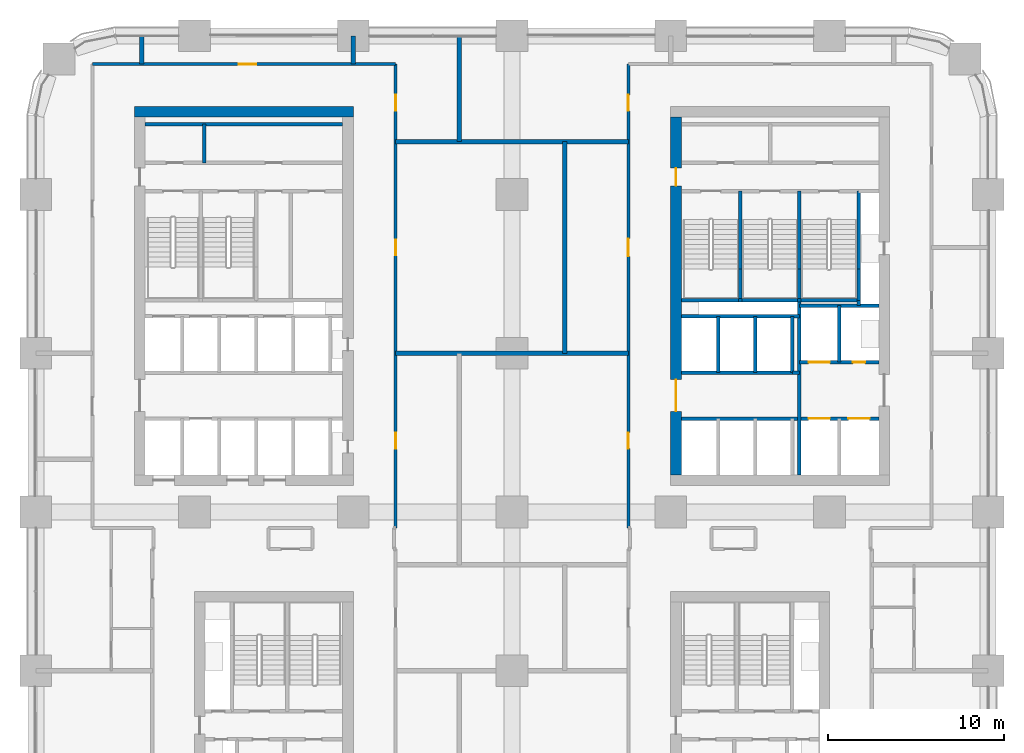
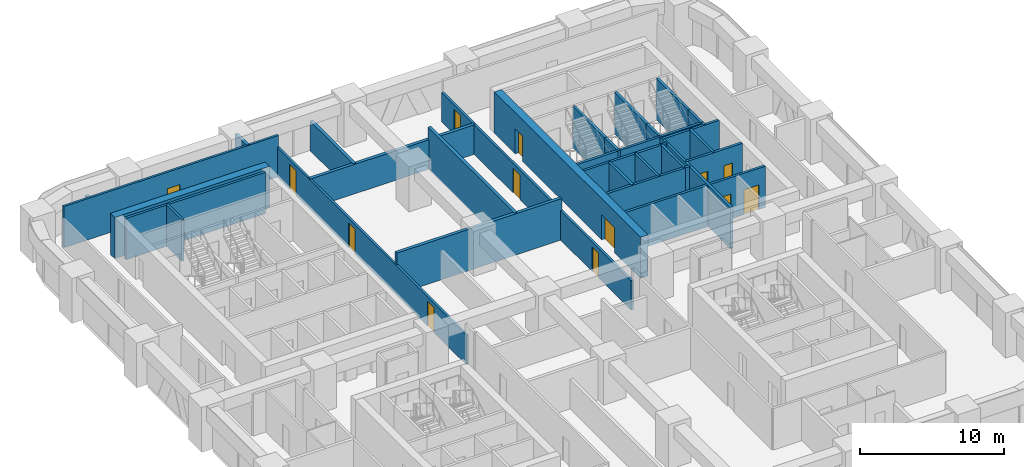
# One storey, part 17 of 21: 36 walls, 13 doors, 13 openings.
"""IFC4 building model written with IfcOpenShell, lengths in metres."""

from ifc_helpers import new_model, si_unit, direction, frame, frame_2d, origin, place, context, subcontext, project, spatial, rectangle, extrude, material, layer, layer_set, type_object, element, fill, save


model = new_model("IFC4")

# Units and contexts
model_context = context("Model", 3, precision=1e-05, world=origin(), true_north=direction((0.0, 1.0)))
body_context = subcontext(model_context, "Body", "Model", "MODEL_VIEW")
ifc_project = project(units=[si_unit("LENGTHUNIT", "METRE"), si_unit("AREAUNIT", "SQUARE_METRE"), si_unit("VOLUMEUNIT", "CUBIC_METRE"), si_unit("PLANEANGLEUNIT", "RADIAN"), si_unit("MASSUNIT", "GRAM", prefix="KILO")], contexts=[model_context])

# Site, building, storey
site_placement = place(None, origin())
site = spatial("IfcSite", under=ifc_project, at=site_placement, CompositionType="ELEMENT")
building_placement = place(site_placement, origin())
building = spatial("IfcBuilding", under=site, at=building_placement, Name="Tessera Arch", CompositionType="ELEMENT")
storey_placement = place(building_placement, frame((0.0, 0.0, 65.199951171875)))
storey = spatial("IfcBuildingStorey", under=building, at=storey_placement, Name="L14", CompositionType="ELEMENT", Elevation=65.199951171875)

# Walls
ifc_material_1 = material(Name="Gypsum board on steel stud", Category="steel")
ifc_layer_1 = layer(ifc_material_1, 0.125)
ifc_layer_set_1 = layer_set([ifc_layer_1], Name="Core partition 125 EI 60")
wall_type_1 = type_object("IfcWallType", Name="Core partition 125 EI 60", PredefinedType="PARTITIONING", material=ifc_layer_set_1)
wall_1_placement = place(storey_placement, frame((42.89990234375, 34.89990234375, 0.0), z_axis=(0.0, 0.0, 1.0), x_axis=(1.0, 0.0, 0.0)))
element("IfcWall", 1, at=wall_1_placement, inside=storey, type_object=wall_type_1, Name="L14 C1 partition wall 19", PredefinedType="PARTITIONING", context=body_context, shape_type="SweptSolid", body=[
    extrude(rectangle(XDim=0.400146484375, YDim=0.199951171875, at=frame_2d((0.2001953125, 0.0))), origin(), (0.0, 0.0, 1.0), 3.5),
])
wall_2_placement = place(storey_placement, frame((9.56005859375, 46.800048828125, 0.0), z_axis=(0.0, 0.0, 1.0), x_axis=(0.0, 1.0, 0.0)))
element("IfcWall", 2, at=wall_2_placement, inside=storey, type_object=wall_type_1, Name="L14 C2 partition wall 5", PredefinedType="PARTITIONING", context=body_context, shape_type="SweptSolid", body=[
    extrude(rectangle(XDim=2.199951171875, YDim=0.199951171875, at=frame_2d((1.10009765625, 0.0))), origin(), (0.0, 0.0, 1.0), 3.5),
])
wall_3_placement = place(storey_placement, frame((6.199951171875, 49.0, 0.0), z_axis=(0.0, 0.0, 1.0), x_axis=(1.0, 0.0, 0.0)))
element("IfcWall", 3, at=wall_3_placement, inside=storey, type_object=wall_type_1, Name="L14 C2 partition wall 27", PredefinedType="PARTITIONING", context=body_context, shape_type="SweptSolid", body=[
    extrude(rectangle(XDim=11.199951171875, YDim=0.199951171875, at=frame_2d((5.60009765625, 0.0))), origin(), (0.0, 0.0, 1.0), 3.5),
])

# Wall, openings, doors
ifc_material_2 = material(Name="Concrete C70/85", Category="concrete")
ifc_layer_2 = layer(ifc_material_2, 0.60009765625)
ifc_layer_set_2 = layer_set([ifc_layer_2], Name="Core shell wall 600 C70-85")
wall_type_2 = type_object("IfcWallType", Name="Core shell wall 600 C70-85", PredefinedType="SHEAR", material=ifc_layer_set_2)
wall_4_placement = place(storey_placement, frame((36.300048828125, 29.10009765625, 0.0), z_axis=(0.0, 0.0, 1.0), x_axis=(0.0, 1.0, 0.0)))
wall_4 = element("IfcWall", 4, at=wall_4_placement, inside=storey, type_object=wall_type_2, Name="L14 C1 core wall W", PredefinedType="SHEAR", context=body_context, shape_type="SweptSolid", body=[
    extrude(rectangle(XDim=20.2998046875, YDim=0.60009765625, at=frame_2d((10.14990234375, 0.0))), origin(), (0.0, 0.0, 1.0), 3.5),
])
opening_1_placement = place(wall_4_placement, frame((3.60009765625, 0.0, 0.0)))
opening_1 = element("IfcOpeningElement", 5, at=opening_1_placement, cuts=wall_4, Name="Opening L14-C04", PredefinedType="OPENING", context=body_context, shape_type="SweptSolid", body=[
    extrude(rectangle(XDim=1.800048828125, YDim=2.10009765625, at=frame_2d((0.89990234375, 1.050048828125))), frame((0.0, 0.31005859375, 0.0), z_axis=(0.0, -1.0, 0.0), x_axis=(1.0, 0.0, 0.0)), (0.0, 0.0, 1.0), 0.6201171875),
])
opening_2_placement = place(wall_4_placement, frame((16.39990234375, 0.0, 0.0)))
opening_2 = element("IfcOpeningElement", 6, at=opening_2_placement, cuts=wall_4, Name="Opening L14-C11", PredefinedType="OPENING", context=body_context, shape_type="SweptSolid", body=[
    extrude(rectangle(XDim=1.0, YDim=2.10009765625, at=frame_2d((0.5, 1.050048828125))), frame((0.0, 0.31005859375, 0.0), z_axis=(0.0, -1.0, 0.0), x_axis=(1.0, 0.0, 0.0)), (0.0, 0.0, 1.0), 0.6201171875),
])
ifc_material_3 = material(Name="Steel door leaf", Category="steel")
door_type_1 = type_object("IfcDoorType", Name="Corridor door FD60 1000 x 2100", OperationType="SINGLE_SWING_LEFT", PredefinedType="DOOR", material=ifc_material_3)
door_1_placement = place(opening_2_placement, origin())
door_1 = element("IfcDoor", 7, at=door_1_placement, inside=storey, type_object=door_type_1, Name="L14 C1 door 11 C11 type D12", OperationType="SINGLE_SWING_RIGHT", OverallHeight=2.10009765625, OverallWidth=1.0, PredefinedType="DOOR", context=body_context, shape_type="SweptSolid", body=[
    extrude(rectangle(XDim=1.0, YDim=2.10009765625, at=frame_2d((0.5, 1.050048828125))), frame((0.0, 0.02490234375, 0.0), z_axis=(0.0, -1.0, 0.0), x_axis=(1.0, 0.0, 0.0)), (0.0, 0.0, 1.0), 0.050048828125),
])
fill(opening_2, door_1)
ifc_material_4 = material(Name="Glazed steel door leaf", Category="steel")
door_type_2 = type_object("IfcDoorType", Name="Lobby double door FD30S 1800 x 2100", OperationType="DOUBLE_DOOR_SINGLE_SWING", PredefinedType="DOOR", material=ifc_material_4)
door_2_placement = place(opening_1_placement, origin())
door_2 = element("IfcDoor", 8, at=door_2_placement, inside=storey, type_object=door_type_2, Name="L14 C1 door 4 C04 type D06", OperationType="DOUBLE_DOOR_SINGLE_SWING", OverallHeight=2.10009765625, OverallWidth=1.800048828125, PredefinedType="DOOR", context=body_context, shape_type="SweptSolid", body=[
    extrude(rectangle(XDim=1.800048828125, YDim=2.10009765625, at=frame_2d((0.89990234375, 1.050048828125))), frame((0.0, 0.02490234375, 0.0), z_axis=(0.0, -1.0, 0.0), x_axis=(1.0, 0.0, 0.0)), (0.0, 0.0, 1.0), 0.050048828125),
])
fill(opening_1, door_2)

# Wall
wall_5_placement = place(storey_placement, frame((5.60009765625, 49.699951171875, 0.0), z_axis=(0.0, 0.0, 1.0), x_axis=(1.0, 0.0, 0.0)))
element("IfcWall", 9, at=wall_5_placement, inside=storey, type_object=wall_type_2, Name="L14 C2 core wall N", PredefinedType="SHEAR", context=body_context, shape_type="SweptSolid", body=[
    extrude(rectangle(XDim=12.39990234375, YDim=0.60009765625, at=frame_2d((6.199951171875, 0.0))), origin(), (0.0, 0.0, 1.0), 3.5),
])

# Wall, opening, door
ifc_material_5 = material(Name="Gypsum board on deep steel stud with mineral wool", Category="steel")
ifc_layer_3 = layer(ifc_material_5, 0.175048828125)
ifc_layer_set_3 = layer_set([ifc_layer_3], Name="Corridor wall 175 EI 60")
wall_type_3 = type_object("IfcWallType", Name="Corridor wall 175 EI 60", PredefinedType="PARTITIONING", material=ifc_layer_set_3)
wall_6_placement = place(storey_placement, frame((3.199951171875, 52.39990234375, 0.0), z_axis=(0.0, 0.0, 1.0), x_axis=(1.0, 0.0, 0.0)))
wall_6 = element("IfcWall", 10, at=wall_6_placement, inside=storey, type_object=wall_type_3, Name="L14 partition 15", PredefinedType="PARTITIONING", context=body_context, shape_type="SweptSolid", body=[
    extrude(rectangle(XDim=17.199951171875, YDim=0.175048828125, at=frame_2d((8.60009765625, 0.0))), origin(), (0.0, 0.0, 1.0), 3.5),
])
opening_3_placement = place(wall_6_placement, frame((8.300048828125, 0.0, 0.0)))
opening_3 = element("IfcOpeningElement", 11, at=opening_3_placement, cuts=wall_6, Name="Opening L14-D029", PredefinedType="OPENING", context=body_context, shape_type="SweptSolid", body=[
    extrude(rectangle(XDim=1.0, YDim=2.10009765625, at=frame_2d((0.5, 1.050048828125))), frame((0.0, 0.097412109375, 0.0), z_axis=(0.0, -1.0, 0.0), x_axis=(1.0, 0.0, 0.0)), (0.0, 0.0, 1.0), 0.195068359375),
])
ifc_material_6 = material(Name="Fire-rated door leaf")
door_type_3 = type_object("IfcDoorType", Name="Entrance door FD30S 1000 x 2100", OperationType="SINGLE_SWING_LEFT", PredefinedType="DOOR", material=ifc_material_6)
door_3_placement = place(opening_3_placement, origin())
door_3 = element("IfcDoor", 12, at=door_3_placement, inside=storey, type_object=door_type_3, Name="L14 door D029 type D03", OperationType="SINGLE_SWING_LEFT", OverallHeight=2.10009765625, OverallWidth=1.0, PredefinedType="DOOR", context=body_context, shape_type="SweptSolid", body=[
    extrude(rectangle(XDim=1.0, YDim=2.10009765625, at=frame_2d((0.5, 1.050048828125))), frame((0.0, 0.02490234375, 0.0), z_axis=(0.0, -1.0, 0.0), x_axis=(1.0, 0.0, 0.0)), (0.0, 0.0, 1.0), 0.050048828125),
])
fill(opening_3, door_3)

# Wall, openings, doors
wall_7_placement = place(storey_placement, frame((20.39990234375, 26.10009765625, 0.0), z_axis=(0.0, 0.0, 1.0), x_axis=(0.0, 1.0, 0.0)))
wall_7 = element("IfcWall", 13, at=wall_7_placement, inside=storey, type_object=wall_type_3, Name="L14 partition 24", PredefinedType="PARTITIONING", context=body_context, shape_type="SweptSolid", body=[
    extrude(rectangle(XDim=26.2998046875, YDim=0.175048828125, at=frame_2d((13.14990234375, 0.0))), origin(), (0.0, 0.0, 1.0), 2.5),
])
opening_4_placement = place(wall_7_placement, frame((4.5, 0.0, 0.0)))
opening_4 = element("IfcOpeningElement", 14, at=opening_4_placement, cuts=wall_7, Name="Opening L14-D019", PredefinedType="OPENING", context=body_context, shape_type="SweptSolid", body=[
    extrude(rectangle(XDim=0.89990234375, YDim=2.10009765625, at=frame_2d((0.449951171875, 1.050048828125))), frame((0.0, 0.097412109375, 0.0), z_axis=(0.0, -1.0, 0.0), x_axis=(1.0, 0.0, 0.0)), (0.0, 0.0, 1.0), 0.195068359375),
])
opening_5_placement = place(wall_7_placement, frame((15.449951171875, 0.0, 0.0)))
opening_5 = element("IfcOpeningElement", 15, at=opening_5_placement, cuts=wall_7, Name="Opening L14-D023", PredefinedType="OPENING", context=body_context, shape_type="SweptSolid", body=[
    extrude(rectangle(XDim=0.89990234375, YDim=2.10009765625, at=frame_2d((0.449951171875, 1.050048828125))), frame((0.0, 0.097412109375, 0.0), z_axis=(0.0, -1.0, 0.0), x_axis=(1.0, 0.0, 0.0)), (0.0, 0.0, 1.0), 0.195068359375),
])
opening_6_placement = place(wall_7_placement, frame((23.64990234375, 0.0, 0.0)))
opening_6 = element("IfcOpeningElement", 16, at=opening_6_placement, cuts=wall_7, Name="Opening L14-D028", PredefinedType="OPENING", context=body_context, shape_type="SweptSolid", body=[
    extrude(rectangle(XDim=0.89990234375, YDim=2.10009765625, at=frame_2d((0.449951171875, 1.050048828125))), frame((0.0, 0.097412109375, 0.0), z_axis=(0.0, -1.0, 0.0), x_axis=(1.0, 0.0, 0.0)), (0.0, 0.0, 1.0), 0.195068359375),
])
ifc_material_7 = material(Name="Timber door leaf", Category="wood")
door_type_4 = type_object("IfcDoorType", Name="Room door 900 x 2100", OperationType="SINGLE_SWING_LEFT", PredefinedType="DOOR", material=ifc_material_7)
door_4_placement = place(opening_4_placement, origin())
door_4 = element("IfcDoor", 17, at=door_4_placement, inside=storey, type_object=door_type_4, Name="L14 door D019 type D01", OperationType="SINGLE_SWING_RIGHT", OverallHeight=2.10009765625, OverallWidth=0.89990234375, PredefinedType="DOOR", context=body_context, shape_type="SweptSolid", body=[
    extrude(rectangle(XDim=0.89990234375, YDim=2.10009765625, at=frame_2d((0.449951171875, 1.050048828125))), frame((0.0, 0.02490234375, 0.0), z_axis=(0.0, -1.0, 0.0), x_axis=(1.0, 0.0, 0.0)), (0.0, 0.0, 1.0), 0.050048828125),
])
fill(opening_4, door_4)
door_5_placement = place(opening_5_placement, origin())
door_5 = element("IfcDoor", 18, at=door_5_placement, inside=storey, type_object=door_type_4, Name="L14 door D023 type D01", OperationType="SINGLE_SWING_RIGHT", OverallHeight=2.10009765625, OverallWidth=0.89990234375, PredefinedType="DOOR", context=body_context, shape_type="SweptSolid", body=[
    extrude(rectangle(XDim=0.89990234375, YDim=2.10009765625, at=frame_2d((0.449951171875, 1.050048828125))), frame((0.0, 0.02490234375, 0.0), z_axis=(0.0, -1.0, 0.0), x_axis=(1.0, 0.0, 0.0)), (0.0, 0.0, 1.0), 0.050048828125),
])
fill(opening_5, door_5)
door_6_placement = place(opening_6_placement, origin())
door_6 = element("IfcDoor", 19, at=door_6_placement, inside=storey, type_object=door_type_4, Name="L14 door D028 type D01", OperationType="SINGLE_SWING_LEFT", OverallHeight=2.10009765625, OverallWidth=0.89990234375, PredefinedType="DOOR", context=body_context, shape_type="SweptSolid", body=[
    extrude(rectangle(XDim=0.89990234375, YDim=2.10009765625, at=frame_2d((0.449951171875, 1.050048828125))), frame((0.0, 0.02490234375, 0.0), z_axis=(0.0, -1.0, 0.0), x_axis=(1.0, 0.0, 0.0)), (0.0, 0.0, 1.0), 0.050048828125),
])
fill(opening_6, door_6)

wall_8_placement = place(storey_placement, frame((33.60009765625, 26.10009765625, 0.0), z_axis=(0.0, 0.0, 1.0), x_axis=(0.0, 1.0, 0.0)))
wall_8 = element("IfcWall", 20, at=wall_8_placement, inside=storey, type_object=wall_type_3, Name="L14 partition 26", PredefinedType="PARTITIONING", context=body_context, shape_type="SweptSolid", body=[
    extrude(rectangle(XDim=26.2998046875, YDim=0.175048828125, at=frame_2d((13.14990234375, 0.0))), origin(), (0.0, 0.0, 1.0), 2.5),
])
opening_7_placement = place(wall_8_placement, frame((4.5, 0.0, 0.0)))
opening_7 = element("IfcOpeningElement", 21, at=opening_7_placement, cuts=wall_8, Name="Opening L14-D020", PredefinedType="OPENING", context=body_context, shape_type="SweptSolid", body=[
    extrude(rectangle(XDim=0.89990234375, YDim=2.10009765625, at=frame_2d((0.449951171875, 1.050048828125))), frame((0.0, 0.097412109375, 0.0), z_axis=(0.0, -1.0, 0.0), x_axis=(1.0, 0.0, 0.0)), (0.0, 0.0, 1.0), 0.195068359375),
])
opening_8_placement = place(wall_8_placement, frame((15.39990234375, 0.0, 0.0)))
opening_8 = element("IfcOpeningElement", 22, at=opening_8_placement, cuts=wall_8, Name="Opening L14-D024", PredefinedType="OPENING", context=body_context, shape_type="SweptSolid", body=[
    extrude(rectangle(XDim=1.0, YDim=2.10009765625, at=frame_2d((0.5, 1.050048828125))), frame((0.0, 0.097412109375, 0.0), z_axis=(0.0, -1.0, 0.0), x_axis=(1.0, 0.0, 0.0)), (0.0, 0.0, 1.0), 0.195068359375),
])
opening_9_placement = place(wall_8_placement, frame((23.64990234375, 0.0, 0.0)))
opening_9 = element("IfcOpeningElement", 23, at=opening_9_placement, cuts=wall_8, Name="Opening L14-D027", PredefinedType="OPENING", context=body_context, shape_type="SweptSolid", body=[
    extrude(rectangle(XDim=0.89990234375, YDim=2.10009765625, at=frame_2d((0.449951171875, 1.050048828125))), frame((0.0, 0.097412109375, 0.0), z_axis=(0.0, -1.0, 0.0), x_axis=(1.0, 0.0, 0.0)), (0.0, 0.0, 1.0), 0.195068359375),
])
door_7_placement = place(opening_8_placement, origin())
door_7 = element("IfcDoor", 24, at=door_7_placement, inside=storey, type_object=door_type_3, Name="L14 door D024 type D03", OperationType="SINGLE_SWING_RIGHT", OverallHeight=2.10009765625, OverallWidth=1.0, PredefinedType="DOOR", context=body_context, shape_type="SweptSolid", body=[
    extrude(rectangle(XDim=1.0, YDim=2.10009765625, at=frame_2d((0.5, 1.050048828125))), frame((0.0, 0.02490234375, 0.0), z_axis=(0.0, -1.0, 0.0), x_axis=(1.0, 0.0, 0.0)), (0.0, 0.0, 1.0), 0.050048828125),
])
fill(opening_8, door_7)
door_8_placement = place(opening_7_placement, origin())
door_8 = element("IfcDoor", 25, at=door_8_placement, inside=storey, type_object=door_type_4, Name="L14 door D020 type D01", OperationType="SINGLE_SWING_RIGHT", OverallHeight=2.10009765625, OverallWidth=0.89990234375, PredefinedType="DOOR", context=body_context, shape_type="SweptSolid", body=[
    extrude(rectangle(XDim=0.89990234375, YDim=2.10009765625, at=frame_2d((0.449951171875, 1.050048828125))), frame((0.0, 0.02490234375, 0.0), z_axis=(0.0, -1.0, 0.0), x_axis=(1.0, 0.0, 0.0)), (0.0, 0.0, 1.0), 0.050048828125),
])
fill(opening_7, door_8)
door_9_placement = place(opening_9_placement, origin())
door_9 = element("IfcDoor", 26, at=door_9_placement, inside=storey, type_object=door_type_4, Name="L14 door D027 type D01", OperationType="SINGLE_SWING_LEFT", OverallHeight=2.10009765625, OverallWidth=0.89990234375, PredefinedType="DOOR", context=body_context, shape_type="SweptSolid", body=[
    extrude(rectangle(XDim=0.89990234375, YDim=2.10009765625, at=frame_2d((0.449951171875, 1.050048828125))), frame((0.0, 0.02490234375, 0.0), z_axis=(0.0, -1.0, 0.0), x_axis=(1.0, 0.0, 0.0)), (0.0, 0.0, 1.0), 0.050048828125),
])
fill(opening_9, door_9)

# Walls
ifc_material_8 = material(Name="Double gypsum board on twin steel stud with acoustic mineral wool", Category="steel")
ifc_layer_4 = layer(ifc_material_8, 0.25)
ifc_layer_set_4 = layer_set([ifc_layer_4], Name="Party wall 250 EI 60")
wall_type_4 = type_object("IfcWallType", Name="Party wall 250 EI 60", PredefinedType="PARTITIONING", material=ifc_layer_set_4)
wall_9_placement = place(storey_placement, frame((20.39990234375, 36.0, 0.0), z_axis=(0.0, 0.0, 1.0), x_axis=(1.0, 0.0, 0.0)))
element("IfcWall", 27, at=wall_9_placement, inside=storey, type_object=wall_type_4, Name="L14 partition 43", PredefinedType="PARTITIONING", context=body_context, shape_type="SweptSolid", body=[
    extrude(rectangle(XDim=13.2001953125, YDim=0.25, at=frame_2d((6.60009765625, 0.0))), origin(), (0.0, 0.0, 1.0), 3.5),
])
wall_10_placement = place(storey_placement, frame((20.39990234375, 48.0, 0.0), z_axis=(0.0, 0.0, 1.0), x_axis=(1.0, 0.0, 0.0)))
element("IfcWall", 28, at=wall_10_placement, inside=storey, type_object=wall_type_4, Name="L14 partition 46", PredefinedType="PARTITIONING", context=body_context, shape_type="SweptSolid", body=[
    extrude(rectangle(XDim=13.2001953125, YDim=0.25, at=frame_2d((6.60009765625, 0.0))), origin(), (0.0, 0.0, 1.0), 2.5),
])
wall_11_placement = place(storey_placement, frame((6.0, 52.39990234375, 0.0), z_axis=(0.0, 0.0, 1.0), x_axis=(0.0, 1.0, 0.0)))
element("IfcWall", 29, at=wall_11_placement, inside=storey, type_object=wall_type_4, Name="L14 partition 47", PredefinedType="PARTITIONING", context=body_context, shape_type="SweptSolid", body=[
    extrude(rectangle(XDim=1.60009765625, YDim=0.25, at=frame_2d((0.800048828125, 0.0))), origin(), (0.0, 0.0, 1.0), 2.5),
])
wall_12_placement = place(storey_placement, frame((18.0, 52.39990234375, 0.0), z_axis=(0.0, 0.0, 1.0), x_axis=(0.0, 1.0, 0.0)))
element("IfcWall", 30, at=wall_12_placement, inside=storey, type_object=wall_type_4, Name="L14 partition 49", PredefinedType="PARTITIONING", context=body_context, shape_type="SweptSolid", body=[
    extrude(rectangle(XDim=1.60009765625, YDim=0.25, at=frame_2d((0.800048828125, 0.0))), origin(), (0.0, 0.0, 1.0), 3.5),
])
wall_13_placement = place(storey_placement, frame((24.0, 48.0, 0.0), z_axis=(0.0, 0.0, 1.0), x_axis=(0.0, 1.0, 0.0)))
element("IfcWall", 31, at=wall_13_placement, inside=storey, type_object=wall_type_4, Name="L14 partition 52", PredefinedType="PARTITIONING", context=body_context, shape_type="SweptSolid", body=[
    extrude(rectangle(XDim=6.0, YDim=0.25, at=frame_2d((3.0, 0.0))), origin(), (0.0, 0.0, 1.0), 2.5),
])
wall_14_placement = place(storey_placement, frame((30.0, 36.0, 0.0), z_axis=(0.0, 0.0, 1.0), x_axis=(0.0, 1.0, 0.0)))
element("IfcWall", 32, at=wall_14_placement, inside=storey, type_object=wall_type_4, Name="L14 partition 54", PredefinedType="PARTITIONING", context=body_context, shape_type="SweptSolid", body=[
    extrude(rectangle(XDim=12.0, YDim=0.25, at=frame_2d((6.0, 0.0))), origin(), (0.0, 0.0, 1.0), 3.5),
])
ifc_material_9 = material(Name="Concrete C40/50", Category="concrete")
ifc_layer_5 = layer(ifc_material_9, 0.199951171875)
ifc_layer_set_5 = layer_set([ifc_layer_5], Name="Shaft wall 200 EI 120")
wall_type_5 = type_object("IfcWallType", Name="Shaft wall 200 EI 120", PredefinedType="SOLIDWALL", material=ifc_layer_set_5)
for number, where, z_axis, x_axis, name in (
    (33, (38.699951171875, 34.89990234375, 0.0), (0.0, 0.0, 1.0), (0.0, 1.0, 0.0), "L14 C1 shaft wall 2"),
    (34, (40.800048828125, 34.89990234375, 0.0), (0.0, 0.0, 1.0), (0.0, 1.0, 0.0), "L14 C1 shaft wall 6"),
    (35, (42.89990234375, 34.89990234375, 0.0), (0.0, 0.0, 1.0), (0.0, 1.0, 0.0), "L14 C1 shaft wall 9"),
):
    element("IfcWall", number, at=place(storey_placement, frame(where, z_axis=z_axis, x_axis=x_axis)), inside=storey, type_object=wall_type_5, Name=name, PredefinedType="SOLIDWALL", context=body_context, shape_type="SweptSolid", body=[
        extrude(rectangle(XDim=3.2001953125, YDim=0.199951171875, at=frame_2d((1.60009765625, 0.0))), origin(), (0.0, 0.0, 1.0), 3.5),
    ])
wall_15_placement = place(storey_placement, frame((43.300048828125, 29.10009765625, 0.0), z_axis=(0.0, 0.0, 1.0), x_axis=(0.0, 1.0, 0.0)))
element("IfcWall", 36, at=wall_15_placement, inside=storey, type_object=wall_type_5, Name="L14 C1 shaft wall 10", PredefinedType="SOLIDWALL", context=body_context, shape_type="SweptSolid", body=[
    extrude(rectangle(XDim=9.89990234375, YDim=0.199951171875, at=frame_2d((4.949951171875, 0.0))), origin(), (0.0, 0.0, 1.0), 3.5),
])
wall_16_placement = place(storey_placement, frame((45.550048828125, 35.5, 0.0), z_axis=(0.0, 0.0, 1.0), x_axis=(0.0, 1.0, 0.0)))
element("IfcWall", 37, at=wall_16_placement, inside=storey, type_object=wall_type_5, Name="L14 C1 shaft wall 14", PredefinedType="SOLIDWALL", context=body_context, shape_type="SweptSolid", body=[
    extrude(rectangle(XDim=3.199951171875, YDim=0.199951171875, at=frame_2d((1.60009765625, 0.0))), origin(), (0.0, 0.0, 1.0), 3.5),
])
wall_17_placement = place(storey_placement, frame((46.64990234375, 38.699951171875, 0.0), z_axis=(0.0, 0.0, 1.0), x_axis=(0.0, 1.0, 0.0)))
element("IfcWall", 38, at=wall_17_placement, inside=storey, type_object=wall_type_5, Name="L14 C1 shaft wall 15", PredefinedType="SOLIDWALL", context=body_context, shape_type="SweptSolid", body=[
    extrude(rectangle(XDim=0.300048828125, YDim=0.199951171875, at=frame_2d((0.14990234375, 0.0))), origin(), (0.0, 0.0, 1.0), 3.5),
])

# Wall, openings, doors
wall_18_placement = place(storey_placement, frame((36.60009765625, 32.300048828125, 0.0), z_axis=(0.0, 0.0, 1.0), x_axis=(1.0, 0.0, 0.0)))
wall_18 = element("IfcWall", 39, at=wall_18_placement, inside=storey, type_object=wall_type_5, Name="L14 C1 shaft wall 18", PredefinedType="SOLIDWALL", context=body_context, shape_type="SweptSolid", body=[
    extrude(rectangle(XDim=11.199951171875, YDim=0.199951171875, at=frame_2d((5.60009765625, 0.0))), origin(), (0.0, 0.0, 1.0), 3.5),
])
opening_10_placement = place(wall_18_placement, frame((7.22509765625, 0.0, 0.0)))
opening_10 = element("IfcOpeningElement", 40, at=opening_10_placement, cuts=wall_18, Name="Opening L14-C01", PredefinedType="OPENING", context=body_context, shape_type="SweptSolid", body=[
    extrude(rectangle(XDim=1.199951171875, YDim=2.10009765625, at=frame_2d((0.60009765625, 1.050048828125))), frame((0.0, 0.10986328125, 0.0), z_axis=(0.0, -1.0, 0.0), x_axis=(1.0, 0.0, 0.0)), (0.0, 0.0, 1.0), 0.219970703125),
])
opening_11_placement = place(wall_18_placement, frame((9.47509765625, 0.0, 0.0)))
opening_11 = element("IfcOpeningElement", 41, at=opening_11_placement, cuts=wall_18, Name="Opening L14-C02", PredefinedType="OPENING", context=body_context, shape_type="SweptSolid", body=[
    extrude(rectangle(XDim=1.199951171875, YDim=2.10009765625, at=frame_2d((0.60009765625, 1.050048828125))), frame((0.0, 0.10986328125, 0.0), z_axis=(0.0, -1.0, 0.0), x_axis=(1.0, 0.0, 0.0)), (0.0, 0.0, 1.0), 0.219970703125),
])
ifc_material_10 = material(Name="Stainless steel AISI 304", Category="steel")
door_type_5 = type_object("IfcDoorType", Name="Sliding landing door 1200 x 2100", OperationType="SLIDING_TO_LEFT", PredefinedType="DOOR", material=ifc_material_10)
door_10_placement = place(opening_10_placement, origin())
door_10 = element("IfcDoor", 42, at=door_10_placement, inside=storey, type_object=door_type_5, Name="L14 FF1 lift landing door C01 type LD", OperationType="SLIDING_TO_LEFT", OverallHeight=2.10009765625, OverallWidth=1.199951171875, PredefinedType="DOOR", context=body_context, shape_type="SweptSolid", body=[
    extrude(rectangle(XDim=1.199951171875, YDim=2.10009765625, at=frame_2d((0.60009765625, 1.050048828125))), frame((0.0, 0.02490234375, 0.0), z_axis=(0.0, -1.0, 0.0), x_axis=(1.0, 0.0, 0.0)), (0.0, 0.0, 1.0), 0.050048828125),
])
fill(opening_10, door_10)
door_11_placement = place(opening_11_placement, origin())
door_11 = element("IfcDoor", 43, at=door_11_placement, inside=storey, type_object=door_type_5, Name="L14 FF2 lift landing door C02 type LD", OperationType="SLIDING_TO_LEFT", OverallHeight=2.10009765625, OverallWidth=1.199951171875, PredefinedType="DOOR", context=body_context, shape_type="SweptSolid", body=[
    extrude(rectangle(XDim=1.199951171875, YDim=2.10009765625, at=frame_2d((0.60009765625, 1.050048828125))), frame((0.0, 0.02490234375, 0.0), z_axis=(0.0, -1.0, 0.0), x_axis=(1.0, 0.0, 0.0)), (0.0, 0.0, 1.0), 0.050048828125),
])
fill(opening_11, door_11)

# Wall
wall_19_placement = place(storey_placement, frame((36.60009765625, 34.89990234375, 0.0), z_axis=(0.0, 0.0, 1.0), x_axis=(1.0, 0.0, 0.0)))
element("IfcWall", 44, at=wall_19_placement, inside=storey, type_object=wall_type_5, Name="L14 C1 shaft wall 20", PredefinedType="SOLIDWALL", context=body_context, shape_type="SweptSolid", body=[
    extrude(rectangle(XDim=6.2998046875, YDim=0.199951171875, at=frame_2d((3.14990234375, 0.0))), origin(), (0.0, 0.0, 1.0), 3.5),
])

# Wall, openings, doors
wall_20_placement = place(storey_placement, frame((43.300048828125, 35.5, 0.0), z_axis=(0.0, 0.0, 1.0), x_axis=(1.0, 0.0, 0.0)))
wall_20 = element("IfcWall", 45, at=wall_20_placement, inside=storey, type_object=wall_type_5, Name="L14 C1 shaft wall 21", PredefinedType="SOLIDWALL", context=body_context, shape_type="SweptSolid", body=[
    extrude(rectangle(XDim=4.5, YDim=0.199951171875, at=frame_2d((2.25, 0.0))), origin(), (0.0, 0.0, 1.0), 3.5),
])
opening_12_placement = place(wall_20_placement, frame((0.52490234375, 0.0, 0.0)))
opening_12 = element("IfcOpeningElement", 46, at=opening_12_placement, cuts=wall_20, Name="Opening L14-C03", PredefinedType="OPENING", context=body_context, shape_type="SweptSolid", body=[
    extrude(rectangle(XDim=1.199951171875, YDim=2.10009765625, at=frame_2d((0.60009765625, 1.050048828125))), frame((0.0, 0.10986328125, 0.0), z_axis=(0.0, -1.0, 0.0), x_axis=(1.0, 0.0, 0.0)), (0.0, 0.0, 1.0), 0.219970703125),
])
opening_13_placement = place(wall_20_placement, frame((3.02490234375, 0.0, 0.0)))
opening_13 = element("IfcOpeningElement", 47, at=opening_13_placement, cuts=wall_20, Name="Opening L14-C10", PredefinedType="OPENING", context=body_context, shape_type="SweptSolid", body=[
    extrude(rectangle(XDim=0.699951171875, YDim=2.10009765625, at=frame_2d((0.35009765625, 1.050048828125))), frame((0.0, 0.10986328125, 0.0), z_axis=(0.0, -1.0, 0.0), x_axis=(1.0, 0.0, 0.0)), (0.0, 0.0, 1.0), 0.219970703125),
])
ifc_material_11 = material(Name="Steel door leaf", Category="steel")
door_type_6 = type_object("IfcDoorType", Name="Service shaft door FD60 700 x 2100", OperationType="SINGLE_SWING_LEFT", PredefinedType="DOOR", material=ifc_material_11)
door_12_placement = place(opening_13_placement, origin())
door_12 = element("IfcDoor", 48, at=door_12_placement, inside=storey, type_object=door_type_6, Name="L14 C1 door 10 C10 type D07", OperationType="SINGLE_SWING_RIGHT", OverallHeight=2.10009765625, OverallWidth=0.699951171875, PredefinedType="DOOR", context=body_context, shape_type="SweptSolid", body=[
    extrude(rectangle(XDim=0.699951171875, YDim=2.10009765625, at=frame_2d((0.35009765625, 1.050048828125))), frame((0.0, 0.02490234375, 0.0), z_axis=(0.0, -1.0, 0.0), x_axis=(1.0, 0.0, 0.0)), (0.0, 0.0, 1.0), 0.050048828125),
])
fill(opening_13, door_12)
door_13_placement = place(opening_12_placement, origin())
door_13 = element("IfcDoor", 49, at=door_13_placement, inside=storey, type_object=door_type_5, Name="L14 SV2 lift landing door C03 type LD", OperationType="SLIDING_TO_LEFT", OverallHeight=2.10009765625, OverallWidth=1.199951171875, PredefinedType="DOOR", context=body_context, shape_type="SweptSolid", body=[
    extrude(rectangle(XDim=1.199951171875, YDim=2.10009765625, at=frame_2d((0.60009765625, 1.050048828125))), frame((0.0, 0.02490234375, 0.0), z_axis=(0.0, -1.0, 0.0), x_axis=(1.0, 0.0, 0.0)), (0.0, 0.0, 1.0), 0.050048828125),
])
fill(opening_12, door_13)

# Walls
wall_21_placement = place(storey_placement, frame((36.60009765625, 38.10009765625, 0.0), z_axis=(0.0, 0.0, 1.0), x_axis=(1.0, 0.0, 0.0)))
element("IfcWall", 50, at=wall_21_placement, inside=storey, type_object=wall_type_5, Name="L14 C1 shaft wall 22", PredefinedType="SOLIDWALL", context=body_context, shape_type="SweptSolid", body=[
    extrude(rectangle(XDim=6.699951171875, YDim=0.199951171875, at=frame_2d((3.35009765625, 0.0))), origin(), (0.0, 0.0, 1.0), 3.5),
])
wall_22_placement = place(storey_placement, frame((43.300048828125, 38.699951171875, 0.0), z_axis=(0.0, 0.0, 1.0), x_axis=(1.0, 0.0, 0.0)))
element("IfcWall", 51, at=wall_22_placement, inside=storey, type_object=wall_type_5, Name="L14 C1 shaft wall 23", PredefinedType="SOLIDWALL", context=body_context, shape_type="SweptSolid", body=[
    extrude(rectangle(XDim=4.5, YDim=0.199951171875, at=frame_2d((2.25, 0.0))), origin(), (0.0, 0.0, 1.0), 3.5),
])
ifc_material_12 = material(Name="Concrete C40/50", Category="concrete")
ifc_layer_6 = layer(ifc_material_12, 0.199951171875)
ifc_layer_set_6 = layer_set([ifc_layer_6], Name="Stair well wall 200 REI 180")
wall_type_6 = type_object("IfcWallType", Name="Stair well wall 200 REI 180", PredefinedType="SOLIDWALL", material=ifc_layer_set_6)
wall_23_placement = place(storey_placement, frame((39.949951171875, 39.0, 0.0), z_axis=(0.0, 0.0, 1.0), x_axis=(0.0, 1.0, 0.0)))
element("IfcWall", 52, at=wall_23_placement, inside=storey, type_object=wall_type_6, Name="L14 C1 shaft wall 3", PredefinedType="SOLIDWALL", context=body_context, shape_type="SweptSolid", body=[
    extrude(rectangle(XDim=1.780029296875, YDim=0.199951171875, at=frame_2d((0.89013671875, 0.0))), origin(), (0.0, 0.0, 1.0), 3.5),
])
wall_24_placement = place(storey_placement, frame((39.949951171875, 40.780029296875, 0.0), z_axis=(0.0, 0.0, 1.0), x_axis=(0.0, 1.0, 0.0)))
element("IfcWall", 53, at=wall_24_placement, inside=storey, type_object=wall_type_6, Name="L14 C1 shaft wall 4", PredefinedType="SOLIDWALL", context=body_context, shape_type="SweptSolid", body=[
    extrude(rectangle(XDim=4.419921875, YDim=0.199951171875, at=frame_2d((2.2099609375, 0.0))), origin(), (0.0, 0.0, 1.0), 3.5),
])
wall_25_placement = place(storey_placement, frame((43.300048828125, 39.0, 0.0), z_axis=(0.0, 0.0, 1.0), x_axis=(0.0, 1.0, 0.0)))
element("IfcWall", 54, at=wall_25_placement, inside=storey, type_object=wall_type_6, Name="L14 C1 shaft wall 11", PredefinedType="SOLIDWALL", context=body_context, shape_type="SweptSolid", body=[
    extrude(rectangle(XDim=1.780029296875, YDim=0.199951171875, at=frame_2d((0.89013671875, 0.0))), origin(), (0.0, 0.0, 1.0), 3.5),
])
wall_26_placement = place(storey_placement, frame((43.300048828125, 40.780029296875, 0.0), z_axis=(0.0, 0.0, 1.0), x_axis=(0.0, 1.0, 0.0)))
element("IfcWall", 55, at=wall_26_placement, inside=storey, type_object=wall_type_6, Name="L14 C1 shaft wall 12", PredefinedType="SOLIDWALL", context=body_context, shape_type="SweptSolid", body=[
    extrude(rectangle(XDim=4.419921875, YDim=0.199951171875, at=frame_2d((2.2099609375, 0.0))), origin(), (0.0, 0.0, 1.0), 3.5),
])
wall_27_placement = place(storey_placement, frame((46.64990234375, 39.0, 0.0), z_axis=(0.0, 0.0, 1.0), x_axis=(0.0, 1.0, 0.0)))
element("IfcWall", 56, at=wall_27_placement, inside=storey, type_object=wall_type_6, Name="L14 C1 shaft wall 16", PredefinedType="SOLIDWALL", context=body_context, shape_type="SweptSolid", body=[
    extrude(rectangle(XDim=1.780029296875, YDim=0.199951171875, at=frame_2d((0.89013671875, 0.0))), origin(), (0.0, 0.0, 1.0), 3.5),
])
wall_28_placement = place(storey_placement, frame((46.64990234375, 40.780029296875, 0.0), z_axis=(0.0, 0.0, 1.0), x_axis=(0.0, 1.0, 0.0)))
element("IfcWall", 57, at=wall_28_placement, inside=storey, type_object=wall_type_6, Name="L14 C1 shaft wall 17", PredefinedType="SOLIDWALL", context=body_context, shape_type="SweptSolid", body=[
    extrude(rectangle(XDim=4.419921875, YDim=0.199951171875, at=frame_2d((2.2099609375, 0.0))), origin(), (0.0, 0.0, 1.0), 3.5),
])
wall_29_placement = place(storey_placement, frame((36.60009765625, 39.0, 0.0), z_axis=(0.0, 0.0, 1.0), x_axis=(1.0, 0.0, 0.0)))
element("IfcWall", 58, at=wall_29_placement, inside=storey, type_object=wall_type_6, Name="L14 C1 shaft wall 24", PredefinedType="SOLIDWALL", context=body_context, shape_type="SweptSolid", body=[
    extrude(rectangle(XDim=3.25, YDim=0.199951171875, at=frame_2d((1.625, 0.0))), origin(), (0.0, 0.0, 1.0), 3.5),
])
wall_30_placement = place(storey_placement, frame((39.85009765625, 39.0, 0.0), z_axis=(0.0, 0.0, 1.0), x_axis=(1.0, 0.0, 0.0)))
element("IfcWall", 59, at=wall_30_placement, inside=storey, type_object=wall_type_6, Name="L14 C1 shaft wall 25", PredefinedType="SOLIDWALL", context=body_context, shape_type="SweptSolid", body=[
    extrude(rectangle(XDim=0.199951171875, YDim=0.199951171875, at=frame_2d((0.10009765625, 0.0))), origin(), (0.0, 0.0, 1.0), 3.5),
])
wall_31_placement = place(storey_placement, frame((40.050048828125, 39.0, 0.0), z_axis=(0.0, 0.0, 1.0), x_axis=(1.0, 0.0, 0.0)))
element("IfcWall", 60, at=wall_31_placement, inside=storey, type_object=wall_type_6, Name="L14 C1 shaft wall 26", PredefinedType="SOLIDWALL", context=body_context, shape_type="SweptSolid", body=[
    extrude(rectangle(XDim=3.14990234375, YDim=0.199951171875, at=frame_2d((1.574951171875, 0.0))), origin(), (0.0, 0.0, 1.0), 3.5),
])
wall_32_placement = place(storey_placement, frame((43.199951171875, 39.0, 0.0), z_axis=(0.0, 0.0, 1.0), x_axis=(1.0, 0.0, 0.0)))
element("IfcWall", 61, at=wall_32_placement, inside=storey, type_object=wall_type_6, Name="L14 C1 shaft wall 27", PredefinedType="SOLIDWALL", context=body_context, shape_type="SweptSolid", body=[
    extrude(rectangle(XDim=0.199951171875, YDim=0.199951171875, at=frame_2d((0.10009765625, 0.0))), origin(), (0.0, 0.0, 1.0), 3.5),
])
wall_33_placement = place(storey_placement, frame((43.39990234375, 39.0, 0.0), z_axis=(0.0, 0.0, 1.0), x_axis=(1.0, 0.0, 0.0)))
element("IfcWall", 62, at=wall_33_placement, inside=storey, type_object=wall_type_6, Name="L14 C1 shaft wall 28", PredefinedType="SOLIDWALL", context=body_context, shape_type="SweptSolid", body=[
    extrude(rectangle(XDim=3.25, YDim=0.199951171875, at=frame_2d((1.625, 0.0))), origin(), (0.0, 0.0, 1.0), 3.5),
])

save(model, "model.ifc")
